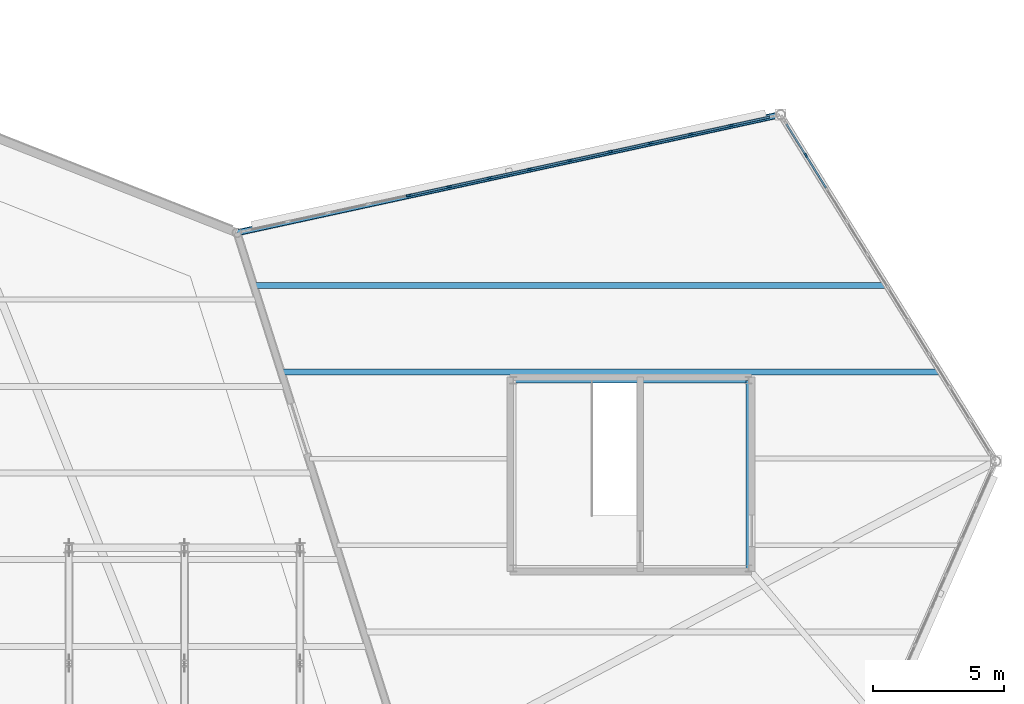
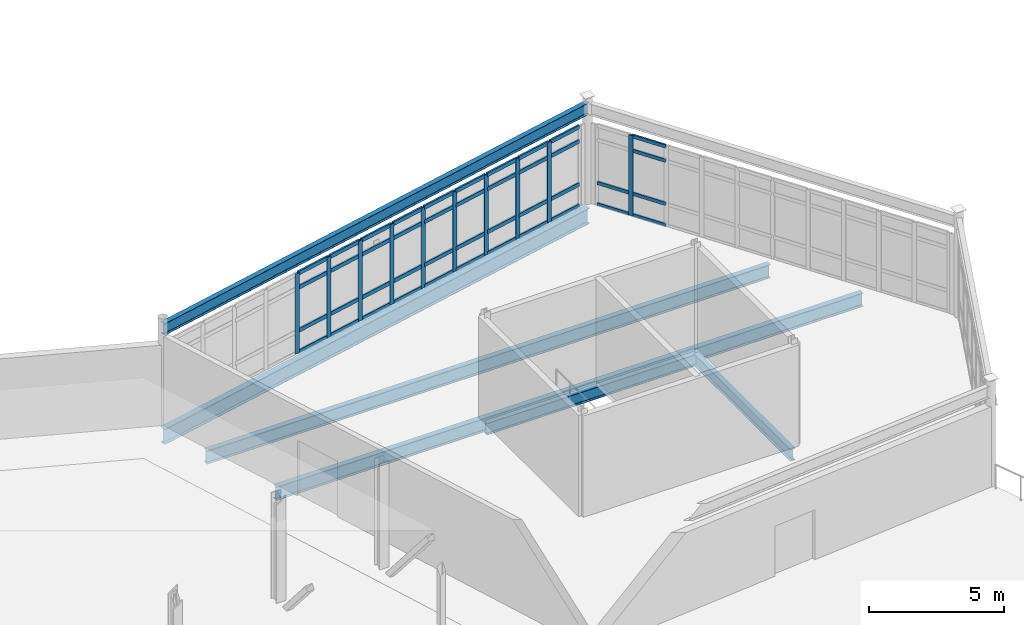
# One storey, part 60 of 114: 52 members, 6 beams, 2 elements without a shape of their own.
"""IFC4 building model written with IfcOpenShell, lengths in metres."""

from ifc_helpers import new_model, si_unit, direction, frame, origin, origin_2d, place, context, subcontext, project, spatial, rectangle, i_section, extrude, material, material_profile, profile_set, type_object, element, aggregate, save


model = new_model("IFC4")

# Units and contexts
model_context = context("Model", 3, precision=1e-05, world=origin(), true_north=direction((0.0, 1.0)))
body_context = subcontext(model_context, "Body", "Model", "MODEL_VIEW")
ifc_project = project(units=[si_unit("LENGTHUNIT", "METRE"), si_unit("AREAUNIT", "SQUARE_METRE"), si_unit("VOLUMEUNIT", "CUBIC_METRE"), si_unit("PLANEANGLEUNIT", "RADIAN"), si_unit("MASSUNIT", "GRAM", prefix="KILO")], contexts=[model_context])

# Site, building, storey
site_placement = place(None, origin())
site = spatial("IfcSite", under=ifc_project, at=site_placement, CompositionType="ELEMENT")
building_placement = place(site_placement, origin())
building = spatial("IfcBuilding", under=site, at=building_placement, Name="Tameran Prism Museum", CompositionType="ELEMENT")
storey_placement = place(building_placement, frame((0.0, 0.0, 10.199951171875)))
storey = spatial("IfcBuildingStorey", under=building, at=storey_placement, Name="L02", CompositionType="ELEMENT", Elevation=10.199951171875)

# Beams
ifc_material_1 = material(Name="Steel Grade 300PLUS (300 MPa)", Category="steel")
ifc_material_profile_1 = material_profile(ifc_material_1, i_section(OverallWidth=0.208984375, OverallDepth=0.528076171875, WebThickness=0.009521484375, FlangeThickness=0.01318359375, FilletRadius=0.013916015625, at=origin_2d()))
ifc_profile_set_1 = profile_set([ifc_material_profile_1])
beam_type_1 = type_object("IfcBeamType", Name="BM-SP530B", PredefinedType="SPANDREL", material=ifc_profile_set_1)
beam_1_placement = place(storey_placement, frame((158.199951171875, 47.199951171875, 4.256103515625), z_axis=(-0.977176259906, -0.212430122809, 0.0), x_axis=(0.212430122809, -0.977176259906, 0.0)))
element("IfcBeam", 1, at=beam_1_placement, inside=storey, type_object=beam_type_1, Name="Roof Ring Beam RB-0755", PredefinedType="SPANDREL", context=body_context, shape_type="SweptSolid", body=[
    extrude(i_section(OverallWidth=0.208984375, OverallDepth=0.528076171875, WebThickness=0.009521484375, FlangeThickness=0.01318359375, FilletRadius=0.013916015625, at=origin_2d()), origin(), (0.0, 0.0, 1.0), 21.183349609375),
])
beam_2_placement = place(storey_placement, frame((156.97998046875, 29.919921875, -0.50390625), z_axis=(0.0, 1.0, 0.0), x_axis=(-1.0, 0.0, 0.0)))
element("IfcBeam", 2, at=beam_2_placement, inside=storey, type_object=beam_type_1, Name="Core Ring Beam CTB-0798", PredefinedType="SPANDREL", context=body_context, shape_type="SweptSolid", body=[
    extrude(i_section(OverallWidth=0.208984375, OverallDepth=0.528076171875, WebThickness=0.009521484375, FlangeThickness=0.01318359375, FilletRadius=0.013916015625, at=origin_2d()), origin(), (0.0, 0.0, 1.0), 7.16015625),
])
beam_3_placement = place(storey_placement, frame((156.97998046875, 37.080078125, -0.50390625), z_axis=(-1.0, 0.0, 0.0), x_axis=(0.0, -1.0, 0.0)))
element("IfcBeam", 3, at=beam_3_placement, inside=storey, type_object=beam_type_1, Name="Core Ring Beam CTB-0799", PredefinedType="SPANDREL", context=body_context, shape_type="SweptSolid", body=[
    extrude(i_section(OverallWidth=0.208984375, OverallDepth=0.528076171875, WebThickness=0.009521484375, FlangeThickness=0.01318359375, FilletRadius=0.013916015625, at=origin_2d()), origin(), (0.0, 0.0, 1.0), 8.9599609375),
])
ifc_material_2 = material(Name="Steel Grade 350 (350 MPa)", Category="steel")
ifc_material_profile_2 = material_profile(ifc_material_2, i_section(OverallWidth=0.25, OverallDepth=0.699951171875, WebThickness=0.010009765625, FlangeThickness=0.02001953125, at=origin_2d()))
ifc_profile_set_2 = profile_set([ifc_material_profile_2])
beam_type_2 = type_object("IfcBeamType", Name="BM-SP700", PredefinedType="SPANDREL", material=ifc_profile_set_2)
beam_4_placement = place(storey_placement, frame((158.199951171875, 47.199951171875, -0.570068359375), z_axis=(-0.977176259906, -0.212430122809, 0.0), x_axis=(0.212430122809, -0.977176259906, 0.0)))
element("IfcBeam", 4, at=beam_4_placement, inside=storey, type_object=beam_type_2, Name="Perimeter Spandrel SP-0751", PredefinedType="SPANDREL", context=body_context, shape_type="SweptSolid", body=[
    extrude(i_section(OverallWidth=0.25, OverallDepth=0.699951171875, WebThickness=0.010009765625, FlangeThickness=0.02001953125, at=origin_2d()), origin(), (0.0, 0.0, 1.0), 21.183349609375),
])
ifc_material_3 = material(Name="Steel Grade 300PLUS (300 MPa)", Category="steel")
ifc_material_profile_3 = material_profile(ifc_material_3, i_section(OverallWidth=0.22802734375, OverallDepth=0.60693359375, WebThickness=0.01123046875, FlangeThickness=0.017333984375, FilletRadius=0.013916015625, at=origin_2d()))
ifc_profile_set_3 = profile_set([ifc_material_profile_3])
beam_type_3 = type_object("IfcBeamType", Name="BM-UB610B", PredefinedType="BEAM", material=ifc_profile_set_3)
beam_5_placement = place(storey_placement, frame((139.221923828125, 37.39990234375, -0.5234375), z_axis=(1.0, 0.0, 0.0), x_axis=(0.0, 1.0, 0.0)))
element("IfcBeam", 5, at=beam_5_placement, inside=storey, type_object=beam_type_3, Name="Floor Beam BM-0938", PredefinedType="BEAM", context=body_context, shape_type="SweptSolid", body=[
    extrude(i_section(OverallWidth=0.22802734375, OverallDepth=0.60693359375, WebThickness=0.01123046875, FlangeThickness=0.017333984375, FilletRadius=0.013916015625, at=origin_2d()), origin(), (0.0, 0.0, 1.0), 25.01904296875),
])
beam_6_placement = place(storey_placement, frame((138.176025390625, 40.699951171875, -0.5234375), z_axis=(1.0, 0.0, 0.0), x_axis=(0.0, 1.0, 0.0)))
element("IfcBeam", 6, at=beam_6_placement, inside=storey, type_object=beam_type_3, Name="Floor Beam BM-0939", PredefinedType="BEAM", context=body_context, shape_type="SweptSolid", body=[
    extrude(i_section(OverallWidth=0.22802734375, OverallDepth=0.60693359375, WebThickness=0.01123046875, FlangeThickness=0.017333984375, FilletRadius=0.013916015625, at=origin_2d()), origin(), (0.0, 0.0, 1.0), 24.014892578125),
])

# Curtain wall, member
ifc_material_4 = material(Name="Anodised Aluminium 6063-T6 and Cyclone Solar Glass", Category="aluminium")
curtain_wall_type_1 = type_object("IfcCurtainWallType", Name="CW-FAC-1484x362", PredefinedType="USERDEFINED", material=ifc_material_4)
curtain_wall_1_placement = place(storey_placement, origin())
curtain_wall_1 = element("IfcCurtainWall", 7, at=curtain_wall_1_placement, inside=storey, type_object=curtain_wall_type_1, Name="Unitised Curtain Wall CW-128", ObjectType="UNITISED CURTAIN WALL", PredefinedType="USERDEFINED")
ifc_material_5 = material(Name="Anodised Aluminium Alloy 6063-T6", Category="aluminium")
ifc_material_profile_4 = material_profile(ifc_material_5, rectangle(XDim=0.070068359375, YDim=0.179931640625, at=origin_2d()))
ifc_profile_set_4 = profile_set([ifc_material_profile_4])
member_type_1 = type_object("IfcMemberType", Name="CW-MUL-B", PredefinedType="MULLION", material=ifc_profile_set_4)
member_1_placement = place(storey_placement, frame((159.16796875, 45.642333984375, 0.0), z_axis=(0.0, 0.0, 1.0), x_axis=(0.849471454595, 0.527634577931, 0.0)))
member_1 = element("IfcMember", 8, at=member_1_placement, type_object=member_type_1, Name="CW-128 mullion 2", PredefinedType="MULLION", context=body_context, shape_type="SweptSolid", body=[
    extrude(rectangle(XDim=0.070068359375, YDim=0.179931640625, at=origin_2d()), origin(), (0.0, 0.0, 1.0), 3.6201171875),
])

# Curtain wall, members
ifc_material_6 = material(Name="Anodised Aluminium 6063-T6 and Cyclone Solar Glass", Category="aluminium")
curtain_wall_type_2 = type_object("IfcCurtainWallType", Name="CW-FAC-2042x362", PredefinedType="USERDEFINED", material=ifc_material_6)
curtain_wall_2_placement = place(storey_placement, origin())
curtain_wall_2 = element("IfcCurtainWall", 9, at=curtain_wall_2_placement, inside=storey, type_object=curtain_wall_type_2, Name="Unitised Curtain Wall CW-129", ObjectType="UNITISED CURTAIN WALL", PredefinedType="USERDEFINED")
ifc_material_7 = material(Name="Anodised Aluminium Alloy 6063-T6", Category="aluminium")
ifc_material_profile_5 = material_profile(ifc_material_7, rectangle(XDim=0.074951171875, YDim=0.199951171875, at=origin_2d()))
ifc_profile_set_5 = profile_set([ifc_material_profile_5])
member_type_2 = type_object("IfcMemberType", Name="CW-MUL-C", PredefinedType="MULLION", material=ifc_profile_set_5)
member_2_placement = place(storey_placement, frame((144.04150390625, 44.1220703125, 0.0), z_axis=(0.0, 0.0, 1.0), x_axis=(-0.212454037801, 0.977171060676, 0.0)))
member_2 = element("IfcMember", 10, at=member_2_placement, type_object=member_type_2, Name="CW-129 mullion 5", PredefinedType="MULLION", context=body_context, shape_type="SweptSolid", body=[
    extrude(rectangle(XDim=0.074951171875, YDim=0.199951171875, at=origin_2d()), origin(), (0.0, 0.0, 1.0), 3.6201171875),
])
member_3_placement = place(storey_placement, frame((145.57666015625, 44.455810546875, 0.0), z_axis=(0.0, 0.0, 1.0), x_axis=(-0.212454037801, 0.977171060676, 0.0)))
member_3 = element("IfcMember", 11, at=member_3_placement, type_object=member_type_2, Name="CW-129 mullion 6", PredefinedType="MULLION", context=body_context, shape_type="SweptSolid", body=[
    extrude(rectangle(XDim=0.074951171875, YDim=0.199951171875, at=origin_2d()), origin(), (0.0, 0.0, 1.0), 3.6201171875),
])
member_4_placement = place(storey_placement, frame((147.11181640625, 44.78955078125, 0.0), z_axis=(0.0, 0.0, 1.0), x_axis=(-0.212454037801, 0.977171060676, 0.0)))
member_4 = element("IfcMember", 12, at=member_4_placement, type_object=member_type_2, Name="CW-129 mullion 7", PredefinedType="MULLION", context=body_context, shape_type="SweptSolid", body=[
    extrude(rectangle(XDim=0.074951171875, YDim=0.199951171875, at=origin_2d()), origin(), (0.0, 0.0, 1.0), 3.6201171875),
])
member_5_placement = place(storey_placement, frame((148.64697265625, 45.123291015625, 0.0), z_axis=(0.0, 0.0, 1.0), x_axis=(-0.212454037801, 0.977171060676, 0.0)))
member_5 = element("IfcMember", 13, at=member_5_placement, type_object=member_type_2, Name="CW-129 mullion 8", PredefinedType="MULLION", context=body_context, shape_type="SweptSolid", body=[
    extrude(rectangle(XDim=0.074951171875, YDim=0.199951171875, at=origin_2d()), origin(), (0.0, 0.0, 1.0), 3.6201171875),
])
member_6_placement = place(storey_placement, frame((150.18212890625, 45.457275390625, 0.0), z_axis=(0.0, 0.0, 1.0), x_axis=(-0.212454037801, 0.977171060676, 0.0)))
member_6 = element("IfcMember", 14, at=member_6_placement, type_object=member_type_2, Name="CW-129 mullion 9", PredefinedType="MULLION", context=body_context, shape_type="SweptSolid", body=[
    extrude(rectangle(XDim=0.074951171875, YDim=0.199951171875, at=origin_2d()), origin(), (0.0, 0.0, 1.0), 3.6201171875),
])
member_7_placement = place(storey_placement, frame((151.71728515625, 45.791015625, 0.0), z_axis=(0.0, 0.0, 1.0), x_axis=(-0.212454037801, 0.977171060676, 0.0)))
member_7 = element("IfcMember", 15, at=member_7_placement, type_object=member_type_2, Name="CW-129 mullion 10", PredefinedType="MULLION", context=body_context, shape_type="SweptSolid", body=[
    extrude(rectangle(XDim=0.074951171875, YDim=0.199951171875, at=origin_2d()), origin(), (0.0, 0.0, 1.0), 3.6201171875),
])
member_8_placement = place(storey_placement, frame((153.25244140625, 46.124755859375, 0.0), z_axis=(0.0, 0.0, 1.0), x_axis=(-0.212454037801, 0.977171060676, 0.0)))
member_8 = element("IfcMember", 16, at=member_8_placement, type_object=member_type_2, Name="CW-129 mullion 11", PredefinedType="MULLION", context=body_context, shape_type="SweptSolid", body=[
    extrude(rectangle(XDim=0.074951171875, YDim=0.199951171875, at=origin_2d()), origin(), (0.0, 0.0, 1.0), 3.6201171875),
])
member_9_placement = place(storey_placement, frame((154.78759765625, 46.45849609375, 0.0), z_axis=(0.0, 0.0, 1.0), x_axis=(-0.212454037801, 0.977171060676, 0.0)))
member_9 = element("IfcMember", 17, at=member_9_placement, type_object=member_type_2, Name="CW-129 mullion 12", PredefinedType="MULLION", context=body_context, shape_type="SweptSolid", body=[
    extrude(rectangle(XDim=0.074951171875, YDim=0.199951171875, at=origin_2d()), origin(), (0.0, 0.0, 1.0), 3.6201171875),
])
member_10_placement = place(storey_placement, frame((156.32275390625, 46.792236328125, 0.0), z_axis=(0.0, 0.0, 1.0), x_axis=(-0.212454037801, 0.977171060676, 0.0)))
member_10 = element("IfcMember", 18, at=member_10_placement, type_object=member_type_2, Name="CW-129 mullion 13", PredefinedType="MULLION", context=body_context, shape_type="SweptSolid", body=[
    extrude(rectangle(XDim=0.074951171875, YDim=0.199951171875, at=origin_2d()), origin(), (0.0, 0.0, 1.0), 3.6201171875),
])

# Member
ifc_material_8 = material(Name="Anodised Aluminium Alloy 6063-T6", Category="aluminium")
ifc_material_profile_6 = material_profile(ifc_material_8, rectangle(XDim=0.070068359375, YDim=0.155029296875, at=origin_2d()))
ifc_profile_set_6 = profile_set([ifc_material_profile_6])
member_type_3 = type_object("IfcMemberType", Name="CW-TRN-B", PredefinedType="USERDEFINED", material=ifc_profile_set_6)
member_11_placement = place(storey_placement, frame((158.421875, 46.843505859375, 0.03515625), z_axis=(0.527609646011, -0.849486940121, 0.0), x_axis=(0.849486940121, 0.527609646011, 0.0)))
member_11 = element("IfcMember", 19, at=member_11_placement, type_object=member_type_3, Name="CW-128 transom 1.1", ObjectType="TRANSOM", PredefinedType="USERDEFINED", context=body_context, shape_type="SweptSolid", body=[
    extrude(rectangle(XDim=0.070068359375, YDim=0.155029296875, at=origin_2d()), origin(), (0.0, 0.0, 1.0), 1.37890625),
])

member_12_placement = place(storey_placement, frame((158.421875, 46.843505859375, 1.0), z_axis=(0.527609646011, -0.849486940121, 0.0), x_axis=(0.849486940121, 0.527609646011, 0.0)))
member_12 = element("IfcMember", 20, at=member_12_placement, type_object=member_type_3, Name="CW-128 transom 1.2", ObjectType="TRANSOM", PredefinedType="USERDEFINED", context=body_context, shape_type="SweptSolid", body=[
    extrude(rectangle(XDim=0.070068359375, YDim=0.155029296875, at=origin_2d()), origin(), (0.0, 0.0, 1.0), 1.37890625),
])

member_13_placement = place(storey_placement, frame((159.1865234375, 45.612548828125, 0.03515625), z_axis=(0.527715294593, -0.849421313515, 0.0), x_axis=(0.849421313515, 0.527715294593, 0.0)))
member_13 = element("IfcMember", 21, at=member_13_placement, type_object=member_type_3, Name="CW-128 transom 2.1", ObjectType="TRANSOM", PredefinedType="USERDEFINED", context=body_context, shape_type="SweptSolid", body=[
    extrude(rectangle(XDim=0.070068359375, YDim=0.155029296875, at=origin_2d()), origin(), (0.0, 0.0, 1.0), 1.413818359375),
])

member_14_placement = place(storey_placement, frame((159.1865234375, 45.612548828125, 1.0), z_axis=(0.527715294593, -0.849421313515, 0.0), x_axis=(0.849421313515, 0.527715294593, 0.0)))
member_14 = element("IfcMember", 22, at=member_14_placement, type_object=member_type_3, Name="CW-128 transom 2.2", ObjectType="TRANSOM", PredefinedType="USERDEFINED", context=body_context, shape_type="SweptSolid", body=[
    extrude(rectangle(XDim=0.070068359375, YDim=0.155029296875, at=origin_2d()), origin(), (0.0, 0.0, 1.0), 1.413818359375),
])

member_15_placement = place(storey_placement, frame((159.1865234375, 45.612548828125, 2.93994140625), z_axis=(0.527715294593, -0.849421313515, 0.0), x_axis=(0.849421313515, 0.527715294593, 0.0)))
member_15 = element("IfcMember", 23, at=member_15_placement, type_object=member_type_3, Name="CW-128 transom 2.3", ObjectType="TRANSOM", PredefinedType="USERDEFINED", context=body_context, shape_type="SweptSolid", body=[
    extrude(rectangle(XDim=0.070068359375, YDim=0.155029296875, at=origin_2d()), origin(), (0.0, 0.0, 1.0), 1.413818359375),
])

member_16_placement = place(storey_placement, frame((159.1865234375, 45.612548828125, 3.5849609375), z_axis=(0.527715294593, -0.849421313515, 0.0), x_axis=(0.849421313515, 0.527715294593, 0.0)))
member_16 = element("IfcMember", 24, at=member_16_placement, type_object=member_type_3, Name="CW-128 transom 2.4", ObjectType="TRANSOM", PredefinedType="USERDEFINED", context=body_context, shape_type="SweptSolid", body=[
    extrude(rectangle(XDim=0.070068359375, YDim=0.155029296875, at=origin_2d()), origin(), (0.0, 0.0, 1.0), 1.413818359375),
])

aggregate(curtain_wall_1, [member_1, member_11, member_12, member_13, member_14, member_15, member_16])

ifc_material_9 = material(Name="Anodised Aluminium Alloy 6063-T6", Category="aluminium")
ifc_material_profile_7 = material_profile(ifc_material_9, rectangle(XDim=0.074951171875, YDim=0.175048828125, at=origin_2d()))
ifc_profile_set_7 = profile_set([ifc_material_profile_7])
member_type_4 = type_object("IfcMemberType", Name="CW-TRN-C", PredefinedType="USERDEFINED", material=ifc_profile_set_7)
member_17_placement = place(storey_placement, frame((144.078369140625, 44.130126953125, 0.03759765625), z_axis=(0.977160157558, 0.212504179913, 0.0), x_axis=(-0.212504179913, 0.977160157558, 0.0)))
member_17 = element("IfcMember", 25, at=member_17_placement, type_object=member_type_4, Name="CW-129 transom 5.1", ObjectType="TRANSOM", PredefinedType="USERDEFINED", context=body_context, shape_type="SweptSolid", body=[
    extrude(rectangle(XDim=0.074951171875, YDim=0.175048828125, at=origin_2d()), origin(), (0.0, 0.0, 1.0), 1.495849609375),
])

member_18_placement = place(storey_placement, frame((144.078369140625, 44.130126953125, 1.0), z_axis=(0.977160157558, 0.212504179913, 0.0), x_axis=(-0.212504179913, 0.977160157558, 0.0)))
member_18 = element("IfcMember", 26, at=member_18_placement, type_object=member_type_4, Name="CW-129 transom 5.2", ObjectType="TRANSOM", PredefinedType="USERDEFINED", context=body_context, shape_type="SweptSolid", body=[
    extrude(rectangle(XDim=0.074951171875, YDim=0.175048828125, at=origin_2d()), origin(), (0.0, 0.0, 1.0), 1.495849609375),
])

member_19_placement = place(storey_placement, frame((144.078369140625, 44.130126953125, 2.93994140625), z_axis=(0.977160157558, 0.212504179913, 0.0), x_axis=(-0.212504179913, 0.977160157558, 0.0)))
member_19 = element("IfcMember", 27, at=member_19_placement, type_object=member_type_4, Name="CW-129 transom 5.3", ObjectType="TRANSOM", PredefinedType="USERDEFINED", context=body_context, shape_type="SweptSolid", body=[
    extrude(rectangle(XDim=0.074951171875, YDim=0.175048828125, at=origin_2d()), origin(), (0.0, 0.0, 1.0), 1.495849609375),
])

member_20_placement = place(storey_placement, frame((144.078369140625, 44.130126953125, 3.58251953125), z_axis=(0.977160157558, 0.212504179913, 0.0), x_axis=(-0.212504179913, 0.977160157558, 0.0)))
member_20 = element("IfcMember", 28, at=member_20_placement, type_object=member_type_4, Name="CW-129 transom 5.4", ObjectType="TRANSOM", PredefinedType="USERDEFINED", context=body_context, shape_type="SweptSolid", body=[
    extrude(rectangle(XDim=0.074951171875, YDim=0.175048828125, at=origin_2d()), origin(), (0.0, 0.0, 1.0), 1.495849609375),
])

member_21_placement = place(storey_placement, frame((145.613525390625, 44.4638671875, 0.03759765625), z_axis=(0.977160157558, 0.212504179913, 0.0), x_axis=(-0.212504179913, 0.977160157558, 0.0)))
member_21 = element("IfcMember", 29, at=member_21_placement, type_object=member_type_4, Name="CW-129 transom 6.1", ObjectType="TRANSOM", PredefinedType="USERDEFINED", context=body_context, shape_type="SweptSolid", body=[
    extrude(rectangle(XDim=0.074951171875, YDim=0.175048828125, at=origin_2d()), origin(), (0.0, 0.0, 1.0), 1.495849609375),
])

member_22_placement = place(storey_placement, frame((145.613525390625, 44.4638671875, 1.0), z_axis=(0.977160157558, 0.212504179913, 0.0), x_axis=(-0.212504179913, 0.977160157558, 0.0)))
member_22 = element("IfcMember", 30, at=member_22_placement, type_object=member_type_4, Name="CW-129 transom 6.2", ObjectType="TRANSOM", PredefinedType="USERDEFINED", context=body_context, shape_type="SweptSolid", body=[
    extrude(rectangle(XDim=0.074951171875, YDim=0.175048828125, at=origin_2d()), origin(), (0.0, 0.0, 1.0), 1.495849609375),
])

member_23_placement = place(storey_placement, frame((145.613525390625, 44.4638671875, 2.93994140625), z_axis=(0.977160157558, 0.212504179913, 0.0), x_axis=(-0.212504179913, 0.977160157558, 0.0)))
member_23 = element("IfcMember", 31, at=member_23_placement, type_object=member_type_4, Name="CW-129 transom 6.3", ObjectType="TRANSOM", PredefinedType="USERDEFINED", context=body_context, shape_type="SweptSolid", body=[
    extrude(rectangle(XDim=0.074951171875, YDim=0.175048828125, at=origin_2d()), origin(), (0.0, 0.0, 1.0), 1.495849609375),
])

member_24_placement = place(storey_placement, frame((145.613525390625, 44.4638671875, 3.58251953125), z_axis=(0.977160157558, 0.212504179913, 0.0), x_axis=(-0.212504179913, 0.977160157558, 0.0)))
member_24 = element("IfcMember", 32, at=member_24_placement, type_object=member_type_4, Name="CW-129 transom 6.4", ObjectType="TRANSOM", PredefinedType="USERDEFINED", context=body_context, shape_type="SweptSolid", body=[
    extrude(rectangle(XDim=0.074951171875, YDim=0.175048828125, at=origin_2d()), origin(), (0.0, 0.0, 1.0), 1.495849609375),
])

member_25_placement = place(storey_placement, frame((147.148681640625, 44.797607421875, 0.03759765625), z_axis=(0.977160157558, 0.212504179913, 0.0), x_axis=(-0.212504179913, 0.977160157558, 0.0)))
member_25 = element("IfcMember", 33, at=member_25_placement, type_object=member_type_4, Name="CW-129 transom 7.1", ObjectType="TRANSOM", PredefinedType="USERDEFINED", context=body_context, shape_type="SweptSolid", body=[
    extrude(rectangle(XDim=0.074951171875, YDim=0.175048828125, at=origin_2d()), origin(), (0.0, 0.0, 1.0), 1.495849609375),
])

member_26_placement = place(storey_placement, frame((147.148681640625, 44.797607421875, 1.0), z_axis=(0.977160157558, 0.212504179913, 0.0), x_axis=(-0.212504179913, 0.977160157558, 0.0)))
member_26 = element("IfcMember", 34, at=member_26_placement, type_object=member_type_4, Name="CW-129 transom 7.2", ObjectType="TRANSOM", PredefinedType="USERDEFINED", context=body_context, shape_type="SweptSolid", body=[
    extrude(rectangle(XDim=0.074951171875, YDim=0.175048828125, at=origin_2d()), origin(), (0.0, 0.0, 1.0), 1.495849609375),
])

member_27_placement = place(storey_placement, frame((147.148681640625, 44.797607421875, 2.93994140625), z_axis=(0.977160157558, 0.212504179913, 0.0), x_axis=(-0.212504179913, 0.977160157558, 0.0)))
member_27 = element("IfcMember", 35, at=member_27_placement, type_object=member_type_4, Name="CW-129 transom 7.3", ObjectType="TRANSOM", PredefinedType="USERDEFINED", context=body_context, shape_type="SweptSolid", body=[
    extrude(rectangle(XDim=0.074951171875, YDim=0.175048828125, at=origin_2d()), origin(), (0.0, 0.0, 1.0), 1.495849609375),
])

member_28_placement = place(storey_placement, frame((147.148681640625, 44.797607421875, 3.58251953125), z_axis=(0.977160157558, 0.212504179913, 0.0), x_axis=(-0.212504179913, 0.977160157558, 0.0)))
member_28 = element("IfcMember", 36, at=member_28_placement, type_object=member_type_4, Name="CW-129 transom 7.4", ObjectType="TRANSOM", PredefinedType="USERDEFINED", context=body_context, shape_type="SweptSolid", body=[
    extrude(rectangle(XDim=0.074951171875, YDim=0.175048828125, at=origin_2d()), origin(), (0.0, 0.0, 1.0), 1.495849609375),
])

member_29_placement = place(storey_placement, frame((148.683837890625, 45.13134765625, 0.03759765625), z_axis=(0.977160157558, 0.212504179913, 0.0), x_axis=(-0.212504179913, 0.977160157558, 0.0)))
member_29 = element("IfcMember", 37, at=member_29_placement, type_object=member_type_4, Name="CW-129 transom 8.1", ObjectType="TRANSOM", PredefinedType="USERDEFINED", context=body_context, shape_type="SweptSolid", body=[
    extrude(rectangle(XDim=0.074951171875, YDim=0.175048828125, at=origin_2d()), origin(), (0.0, 0.0, 1.0), 1.495849609375),
])

member_30_placement = place(storey_placement, frame((148.683837890625, 45.13134765625, 1.0), z_axis=(0.977160157558, 0.212504179913, 0.0), x_axis=(-0.212504179913, 0.977160157558, 0.0)))
member_30 = element("IfcMember", 38, at=member_30_placement, type_object=member_type_4, Name="CW-129 transom 8.2", ObjectType="TRANSOM", PredefinedType="USERDEFINED", context=body_context, shape_type="SweptSolid", body=[
    extrude(rectangle(XDim=0.074951171875, YDim=0.175048828125, at=origin_2d()), origin(), (0.0, 0.0, 1.0), 1.495849609375),
])

member_31_placement = place(storey_placement, frame((148.683837890625, 45.13134765625, 2.93994140625), z_axis=(0.977160157558, 0.212504179913, 0.0), x_axis=(-0.212504179913, 0.977160157558, 0.0)))
member_31 = element("IfcMember", 39, at=member_31_placement, type_object=member_type_4, Name="CW-129 transom 8.3", ObjectType="TRANSOM", PredefinedType="USERDEFINED", context=body_context, shape_type="SweptSolid", body=[
    extrude(rectangle(XDim=0.074951171875, YDim=0.175048828125, at=origin_2d()), origin(), (0.0, 0.0, 1.0), 1.495849609375),
])

member_32_placement = place(storey_placement, frame((148.683837890625, 45.13134765625, 3.58251953125), z_axis=(0.977160157558, 0.212504179913, 0.0), x_axis=(-0.212504179913, 0.977160157558, 0.0)))
member_32 = element("IfcMember", 40, at=member_32_placement, type_object=member_type_4, Name="CW-129 transom 8.4", ObjectType="TRANSOM", PredefinedType="USERDEFINED", context=body_context, shape_type="SweptSolid", body=[
    extrude(rectangle(XDim=0.074951171875, YDim=0.175048828125, at=origin_2d()), origin(), (0.0, 0.0, 1.0), 1.495849609375),
])

member_33_placement = place(storey_placement, frame((150.218994140625, 45.465087890625, 0.03759765625), z_axis=(0.977160157558, 0.212504179913, 0.0), x_axis=(-0.212504179913, 0.977160157558, 0.0)))
member_33 = element("IfcMember", 41, at=member_33_placement, type_object=member_type_4, Name="CW-129 transom 9.1", ObjectType="TRANSOM", PredefinedType="USERDEFINED", context=body_context, shape_type="SweptSolid", body=[
    extrude(rectangle(XDim=0.074951171875, YDim=0.175048828125, at=origin_2d()), origin(), (0.0, 0.0, 1.0), 1.495849609375),
])

member_34_placement = place(storey_placement, frame((150.218994140625, 45.465087890625, 1.0), z_axis=(0.977160157558, 0.212504179913, 0.0), x_axis=(-0.212504179913, 0.977160157558, 0.0)))
member_34 = element("IfcMember", 42, at=member_34_placement, type_object=member_type_4, Name="CW-129 transom 9.2", ObjectType="TRANSOM", PredefinedType="USERDEFINED", context=body_context, shape_type="SweptSolid", body=[
    extrude(rectangle(XDim=0.074951171875, YDim=0.175048828125, at=origin_2d()), origin(), (0.0, 0.0, 1.0), 1.495849609375),
])

member_35_placement = place(storey_placement, frame((150.218994140625, 45.465087890625, 2.93994140625), z_axis=(0.977160157558, 0.212504179913, 0.0), x_axis=(-0.212504179913, 0.977160157558, 0.0)))
member_35 = element("IfcMember", 43, at=member_35_placement, type_object=member_type_4, Name="CW-129 transom 9.3", ObjectType="TRANSOM", PredefinedType="USERDEFINED", context=body_context, shape_type="SweptSolid", body=[
    extrude(rectangle(XDim=0.074951171875, YDim=0.175048828125, at=origin_2d()), origin(), (0.0, 0.0, 1.0), 1.495849609375),
])

member_36_placement = place(storey_placement, frame((150.218994140625, 45.465087890625, 3.58251953125), z_axis=(0.977160157558, 0.212504179913, 0.0), x_axis=(-0.212504179913, 0.977160157558, 0.0)))
member_36 = element("IfcMember", 44, at=member_36_placement, type_object=member_type_4, Name="CW-129 transom 9.4", ObjectType="TRANSOM", PredefinedType="USERDEFINED", context=body_context, shape_type="SweptSolid", body=[
    extrude(rectangle(XDim=0.074951171875, YDim=0.175048828125, at=origin_2d()), origin(), (0.0, 0.0, 1.0), 1.495849609375),
])

member_37_placement = place(storey_placement, frame((151.754150390625, 45.798828125, 0.03759765625), z_axis=(0.977160157558, 0.212504179913, 0.0), x_axis=(-0.212504179913, 0.977160157558, 0.0)))
member_37 = element("IfcMember", 45, at=member_37_placement, type_object=member_type_4, Name="CW-129 transom 10.1", ObjectType="TRANSOM", PredefinedType="USERDEFINED", context=body_context, shape_type="SweptSolid", body=[
    extrude(rectangle(XDim=0.074951171875, YDim=0.175048828125, at=origin_2d()), origin(), (0.0, 0.0, 1.0), 1.495849609375),
])

member_38_placement = place(storey_placement, frame((151.754150390625, 45.798828125, 1.0), z_axis=(0.977160157558, 0.212504179913, 0.0), x_axis=(-0.212504179913, 0.977160157558, 0.0)))
member_38 = element("IfcMember", 46, at=member_38_placement, type_object=member_type_4, Name="CW-129 transom 10.2", ObjectType="TRANSOM", PredefinedType="USERDEFINED", context=body_context, shape_type="SweptSolid", body=[
    extrude(rectangle(XDim=0.074951171875, YDim=0.175048828125, at=origin_2d()), origin(), (0.0, 0.0, 1.0), 1.495849609375),
])

member_39_placement = place(storey_placement, frame((151.754150390625, 45.798828125, 2.93994140625), z_axis=(0.977160157558, 0.212504179913, 0.0), x_axis=(-0.212504179913, 0.977160157558, 0.0)))
member_39 = element("IfcMember", 47, at=member_39_placement, type_object=member_type_4, Name="CW-129 transom 10.3", ObjectType="TRANSOM", PredefinedType="USERDEFINED", context=body_context, shape_type="SweptSolid", body=[
    extrude(rectangle(XDim=0.074951171875, YDim=0.175048828125, at=origin_2d()), origin(), (0.0, 0.0, 1.0), 1.495849609375),
])

member_40_placement = place(storey_placement, frame((151.754150390625, 45.798828125, 3.58251953125), z_axis=(0.977160157558, 0.212504179913, 0.0), x_axis=(-0.212504179913, 0.977160157558, 0.0)))
member_40 = element("IfcMember", 48, at=member_40_placement, type_object=member_type_4, Name="CW-129 transom 10.4", ObjectType="TRANSOM", PredefinedType="USERDEFINED", context=body_context, shape_type="SweptSolid", body=[
    extrude(rectangle(XDim=0.074951171875, YDim=0.175048828125, at=origin_2d()), origin(), (0.0, 0.0, 1.0), 1.495849609375),
])

member_41_placement = place(storey_placement, frame((153.2890625, 46.132568359375, 0.03759765625), z_axis=(0.977167526202, 0.212470293773, 0.0), x_axis=(-0.212470293773, 0.977167526202, 0.0)))
member_41 = element("IfcMember", 49, at=member_41_placement, type_object=member_type_4, Name="CW-129 transom 11.1", ObjectType="TRANSOM", PredefinedType="USERDEFINED", context=body_context, shape_type="SweptSolid", body=[
    extrude(rectangle(XDim=0.074951171875, YDim=0.175048828125, at=origin_2d()), origin(), (0.0, 0.0, 1.0), 1.49609375),
])

member_42_placement = place(storey_placement, frame((153.2890625, 46.132568359375, 1.0), z_axis=(0.977167526202, 0.212470293773, 0.0), x_axis=(-0.212470293773, 0.977167526202, 0.0)))
member_42 = element("IfcMember", 50, at=member_42_placement, type_object=member_type_4, Name="CW-129 transom 11.2", ObjectType="TRANSOM", PredefinedType="USERDEFINED", context=body_context, shape_type="SweptSolid", body=[
    extrude(rectangle(XDim=0.074951171875, YDim=0.175048828125, at=origin_2d()), origin(), (0.0, 0.0, 1.0), 1.49609375),
])

member_43_placement = place(storey_placement, frame((153.2890625, 46.132568359375, 2.93994140625), z_axis=(0.977167526202, 0.212470293773, 0.0), x_axis=(-0.212470293773, 0.977167526202, 0.0)))
member_43 = element("IfcMember", 51, at=member_43_placement, type_object=member_type_4, Name="CW-129 transom 11.3", ObjectType="TRANSOM", PredefinedType="USERDEFINED", context=body_context, shape_type="SweptSolid", body=[
    extrude(rectangle(XDim=0.074951171875, YDim=0.175048828125, at=origin_2d()), origin(), (0.0, 0.0, 1.0), 1.49609375),
])

member_44_placement = place(storey_placement, frame((153.2890625, 46.132568359375, 3.58251953125), z_axis=(0.977167526202, 0.212470293773, 0.0), x_axis=(-0.212470293773, 0.977167526202, 0.0)))
member_44 = element("IfcMember", 52, at=member_44_placement, type_object=member_type_4, Name="CW-129 transom 11.4", ObjectType="TRANSOM", PredefinedType="USERDEFINED", context=body_context, shape_type="SweptSolid", body=[
    extrude(rectangle(XDim=0.074951171875, YDim=0.175048828125, at=origin_2d()), origin(), (0.0, 0.0, 1.0), 1.49609375),
])

member_45_placement = place(storey_placement, frame((154.82421875, 46.46630859375, 0.03759765625), z_axis=(0.977167526202, 0.212470293773, 0.0), x_axis=(-0.212470293773, 0.977167526202, 0.0)))
member_45 = element("IfcMember", 53, at=member_45_placement, type_object=member_type_4, Name="CW-129 transom 12.1", ObjectType="TRANSOM", PredefinedType="USERDEFINED", context=body_context, shape_type="SweptSolid", body=[
    extrude(rectangle(XDim=0.074951171875, YDim=0.175048828125, at=origin_2d()), origin(), (0.0, 0.0, 1.0), 1.49609375),
])

member_46_placement = place(storey_placement, frame((154.82421875, 46.46630859375, 1.0), z_axis=(0.977167526202, 0.212470293773, 0.0), x_axis=(-0.212470293773, 0.977167526202, 0.0)))
member_46 = element("IfcMember", 54, at=member_46_placement, type_object=member_type_4, Name="CW-129 transom 12.2", ObjectType="TRANSOM", PredefinedType="USERDEFINED", context=body_context, shape_type="SweptSolid", body=[
    extrude(rectangle(XDim=0.074951171875, YDim=0.175048828125, at=origin_2d()), origin(), (0.0, 0.0, 1.0), 1.49609375),
])

member_47_placement = place(storey_placement, frame((154.82421875, 46.46630859375, 2.93994140625), z_axis=(0.977167526202, 0.212470293773, 0.0), x_axis=(-0.212470293773, 0.977167526202, 0.0)))
member_47 = element("IfcMember", 55, at=member_47_placement, type_object=member_type_4, Name="CW-129 transom 12.3", ObjectType="TRANSOM", PredefinedType="USERDEFINED", context=body_context, shape_type="SweptSolid", body=[
    extrude(rectangle(XDim=0.074951171875, YDim=0.175048828125, at=origin_2d()), origin(), (0.0, 0.0, 1.0), 1.49609375),
])

member_48_placement = place(storey_placement, frame((154.82421875, 46.46630859375, 3.58251953125), z_axis=(0.977167526202, 0.212470293773, 0.0), x_axis=(-0.212470293773, 0.977167526202, 0.0)))
member_48 = element("IfcMember", 56, at=member_48_placement, type_object=member_type_4, Name="CW-129 transom 12.4", ObjectType="TRANSOM", PredefinedType="USERDEFINED", context=body_context, shape_type="SweptSolid", body=[
    extrude(rectangle(XDim=0.074951171875, YDim=0.175048828125, at=origin_2d()), origin(), (0.0, 0.0, 1.0), 1.49609375),
])

member_49_placement = place(storey_placement, frame((156.359375, 46.80029296875, 0.03759765625), z_axis=(0.977180895726, 0.212408796964, 0.0), x_axis=(-0.212408796964, 0.977180895726, 0.0)))
member_49 = element("IfcMember", 57, at=member_49_placement, type_object=member_type_4, Name="CW-129 transom 13.1", ObjectType="TRANSOM", PredefinedType="USERDEFINED", context=body_context, shape_type="SweptSolid", body=[
    extrude(rectangle(XDim=0.074951171875, YDim=0.175048828125, at=origin_2d()), origin(), (0.0, 0.0, 1.0), 1.45849609375),
])

member_50_placement = place(storey_placement, frame((156.359375, 46.80029296875, 1.0), z_axis=(0.977180895726, 0.212408796964, 0.0), x_axis=(-0.212408796964, 0.977180895726, 0.0)))
member_50 = element("IfcMember", 58, at=member_50_placement, type_object=member_type_4, Name="CW-129 transom 13.2", ObjectType="TRANSOM", PredefinedType="USERDEFINED", context=body_context, shape_type="SweptSolid", body=[
    extrude(rectangle(XDim=0.074951171875, YDim=0.175048828125, at=origin_2d()), origin(), (0.0, 0.0, 1.0), 1.45849609375),
])

member_51_placement = place(storey_placement, frame((156.359375, 46.80029296875, 2.93994140625), z_axis=(0.977180895726, 0.212408796964, 0.0), x_axis=(-0.212408796964, 0.977180895726, 0.0)))
member_51 = element("IfcMember", 59, at=member_51_placement, type_object=member_type_4, Name="CW-129 transom 13.3", ObjectType="TRANSOM", PredefinedType="USERDEFINED", context=body_context, shape_type="SweptSolid", body=[
    extrude(rectangle(XDim=0.074951171875, YDim=0.175048828125, at=origin_2d()), origin(), (0.0, 0.0, 1.0), 1.45849609375),
])

member_52_placement = place(storey_placement, frame((156.359375, 46.80029296875, 3.58251953125), z_axis=(0.977180895726, 0.212408796964, 0.0), x_axis=(-0.212408796964, 0.977180895726, 0.0)))
member_52 = element("IfcMember", 60, at=member_52_placement, type_object=member_type_4, Name="CW-129 transom 13.4", ObjectType="TRANSOM", PredefinedType="USERDEFINED", context=body_context, shape_type="SweptSolid", body=[
    extrude(rectangle(XDim=0.074951171875, YDim=0.175048828125, at=origin_2d()), origin(), (0.0, 0.0, 1.0), 1.45849609375),
])

aggregate(curtain_wall_2, [member_2, member_3, member_4, member_5, member_6, member_7, member_8, member_9, member_10, member_17, member_18, member_19, member_20, member_21, member_22, member_23, member_24, member_25, member_26, member_27, member_28, member_29, member_30, member_31, member_32, member_33, member_34, member_35, member_36, member_37, member_38, member_39, member_40, member_41, member_42, member_43, member_44, member_45, member_46, member_47, member_48, member_49, member_50, member_51, member_52])

save(model, "model.ifc")
